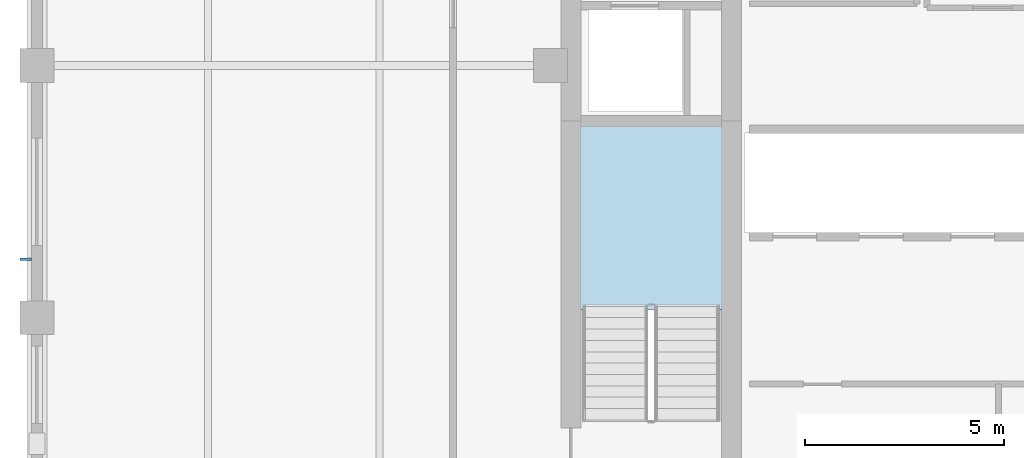
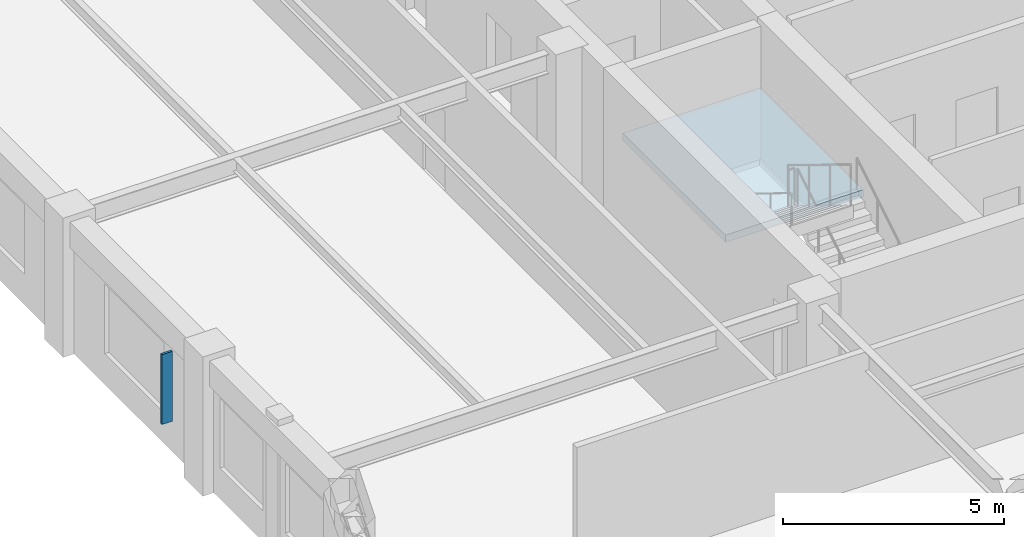
# One storey, part 4 of 11: 1 plate, 1 slab, 1 element without a shape of its own.
"""IFC4 building model written with IfcOpenShell, lengths in metres."""

from ifc_helpers import new_model, si_unit, direction, frame, origin, origin_2d, place, context, subcontext, project, spatial, polyline, rectangle, outline, extrude, material, layer, layer_set, type_object, element, aggregate, save


model = new_model("IFC4")

# Units and contexts
model_context = context("Model", 3, precision=1e-05, world=origin(), true_north=direction((0.0, 1.0)))
body_context = subcontext(model_context, "Body", "Model", "MODEL_VIEW")
ifc_project = project(units=[si_unit("LENGTHUNIT", "METRE"), si_unit("AREAUNIT", "SQUARE_METRE"), si_unit("VOLUMEUNIT", "CUBIC_METRE"), si_unit("PLANEANGLEUNIT", "RADIAN"), si_unit("MASSUNIT", "GRAM", prefix="KILO")], contexts=[model_context])

# Site, building, storey
site_placement = place(None, origin())
site = spatial("IfcSite", under=ifc_project, at=site_placement, CompositionType="ELEMENT")
building_placement = place(site_placement, origin())
building = spatial("IfcBuilding", under=site, at=building_placement, Name="Nhamokura Convention Tower", CompositionType="ELEMENT")
storey_placement = place(building_placement, frame((0.0, 0.0, 244.64990234375)))
storey = spatial("IfcBuildingStorey", under=building, at=storey_placement, Name="L60", CompositionType="ELEMENT", Elevation=244.64990234375)

# Plate
ifc_material_1 = material(Name="Anodised bronze aluminium AA6063-T6", Category="aluminium")
plate_type = type_object("IfcPlateType", Name="BronzeSolarFin_2", PredefinedType="USERDEFINED", material=ifc_material_1)
plate_placement = place(storey_placement, frame((7.469970703125, 27.13330078125, 0.85009765625), z_axis=(0.0, 0.0, 1.0), x_axis=(1.0, 0.0, 0.0)))
element("IfcPlate", 1, at=plate_placement, inside=storey, type_object=plate_type, Name="L60 Bronze Solar Shading Fin WEST 2", ObjectType="SOLAR_FIN", PredefinedType="USERDEFINED", context=body_context, shape_type="SweptSolid", body=[
    extrude(rectangle(XDim=0.280029296875, YDim=0.06005859375, at=origin_2d()), origin(), (0.0, 0.0, 1.0), 1.93505859375),
])

# Stair, slab
ifc_material_2 = material(Name="Concrete C40/50", Category="concrete")
stair_type = type_object("IfcStairType", Name="TowerCoreStair_1650", PredefinedType="HALF_TURN_STAIR", material=ifc_material_2)
stair_placement = place(storey_placement, origin())
stair = element("IfcStair", 2, at=stair_placement, inside=storey, type_object=stair_type, Name="L60 West Core Smokeproof Stair ST-01", PredefinedType="HALF_TURN_STAIR")
ifc_material_3 = material(Name="Concrete C40/50", Category="concrete")
ifc_layer = layer(ifc_material_3, 0.199951171875)
ifc_layer_set = layer_set([ifc_layer], Name="StairLandingSlab_200")
slab_type = type_object("IfcSlabType", Name="StairLandingSlab_200", PredefinedType="LANDING", material=ifc_layer_set)
slab_placement = place(storey_placement, frame((0.0, 0.0, 1.72509765625)))
slab = element("IfcSlab", 3, at=slab_placement, type_object=slab_type, Name="ST-01 landing 1", PredefinedType="LANDING", context=body_context, shape_type="SweptSolid", body=[
    extrude(outline(polyline([(24.97998046875, 25.8701171875), (24.97998046875, 30.530029296875), (21.3701171875, 30.530029296875), (21.3701171875, 25.8701171875), (24.97998046875, 25.8701171875)])), origin(), (0.0, 0.0, 1.0), 0.199951171875),
])
aggregate(stair, [slab])

save(model, "model.ifc")
